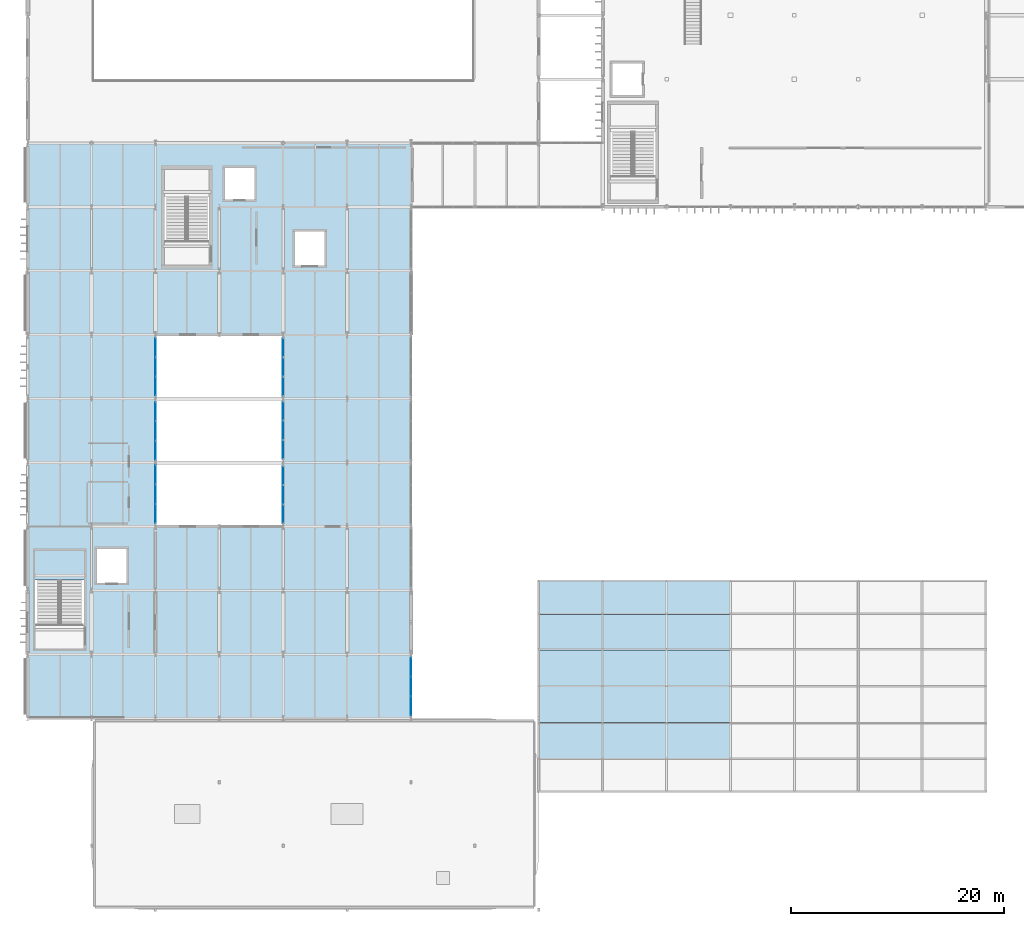
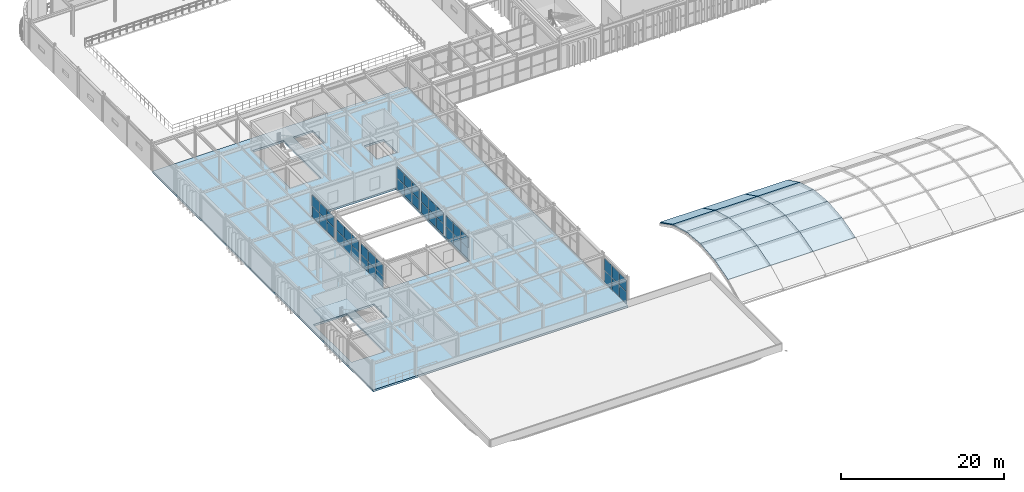
# One storey, part 46 of 84: 42 plates, 17 slabs, 8 elements without a shape of their own.
"""IFC4 building model written with IfcOpenShell, lengths in metres."""

import ifcopenshell
import ifcopenshell.guid

model = None  # the IFC model being written
_history = None  # IfcOwnerHistory: only IFC2X3 demands one
_inside = {}  # id of a spatial element -> (the spatial element, [elements in it])
_under = {}  # id of a project, library or spatial element -> (it, [spatial elements below it])
_declared = {}  # id of a project -> (the project, [libraries it declares])
_typed = {}  # id of a type object -> (the type object, [elements of that type])
_made_of = {}  # id of a material, layer set ... -> (it, [elements and type objects made of it])


def new_model(schema):
    """Start an empty IFC model of exactly this schema.

    Asked for "IFC4X3", IfcOpenShell would pick the latest addendum, in which some entities
    have other attributes; the version numbers below select the first issue.
    IFC2X3 requires an IfcOwnerHistory on every rooted entity: one is made here for all.
    """
    global model, _history
    if schema == "IFC4X3":
        model = ifcopenshell.file(schema_version=(4, 3, 0, 0))
    else:
        model = ifcopenshell.file(schema=schema)
    _inside.clear()
    _under.clear()
    _declared.clear()
    _typed.clear()
    _made_of.clear()
    _history = None
    if model.schema == "IFC2X3":
        org = make("IfcOrganization", Name="unknown")
        user = make(
            "IfcPersonAndOrganization",
            ThePerson=make("IfcPerson", FamilyName="unknown"),
            TheOrganization=org,
        )
        app = make(
            "IfcApplication",
            ApplicationDeveloper=org,
            Version="unknown",
            ApplicationFullName="unknown",
            ApplicationIdentifier="unknown",
        )
        _history = make(
            "IfcOwnerHistory",
            OwningUser=user,
            OwningApplication=app,
            ChangeAction="ADDED",
            CreationDate=0,
        )
    return model


def make(cls, **values):
    """One entity of the class cls with the attributes given. An attribute that is None is left unset."""
    return model.create_entity(
        cls, **{name: value for name, value in values.items() if value is not None}
    )


def rooted(cls, **values):
    """An entity with a GlobalId (a new one), such as an element, a storey or a relation."""
    return make(cls, GlobalId=ifcopenshell.guid.new(), OwnerHistory=_history, **values)


def si_unit(unit_type, name, prefix=None):
    """IfcSIUnit, for example si_unit("LENGTHUNIT", "METRE", prefix="MILLI")."""
    return make("IfcSIUnit", UnitType=unit_type, Prefix=prefix, Name=name)


def assignment(units):
    """IfcUnitAssignment: the units of a project."""
    return None if units is None else make("IfcUnitAssignment", Units=units)


def point(xyz):
    """IfcCartesianPoint."""
    return None if xyz is None else make("IfcCartesianPoint", Coordinates=xyz)


def direction(xyz):
    """IfcDirection."""
    return None if xyz is None else make("IfcDirection", DirectionRatios=xyz)


def frame(location, z_axis=None, x_axis=None):
    """IfcAxis2Placement3D, a coordinate frame: its origin and axes. An axis left out is left unset."""
    return make(
        "IfcAxis2Placement3D",
        Location=point(location),
        Axis=direction(z_axis),
        RefDirection=direction(x_axis),
    )


def frame_2d(location, x_axis=None):
    """IfcAxis2Placement2D, a coordinate frame in the plane: its origin and x axis."""
    return make(
        "IfcAxis2Placement2D", Location=point(location), RefDirection=direction(x_axis)
    )


def origin():
    """The frame at (0, 0, 0) with its axes left unset."""
    return frame((0.0, 0.0, 0.0))


def origin_2d():
    """The frame at (0, 0) in the plane with its x axis left unset."""
    return frame_2d((0.0, 0.0))


def place(relative_to, where):
    """IfcLocalPlacement: puts the frame where relative to a parent placement (None: the world)."""
    return make(
        "IfcLocalPlacement", PlacementRelTo=relative_to, RelativePlacement=where
    )


def context(
    kind, dimensions, precision=None, world=None, true_north=None, identifier=None
):
    """IfcGeometricRepresentationContext, for example the 3D "Model" context."""
    return make(
        "IfcGeometricRepresentationContext",
        ContextIdentifier=identifier,
        ContextType=kind,
        CoordinateSpaceDimension=dimensions,
        Precision=precision,
        WorldCoordinateSystem=world,
        TrueNorth=true_north,
    )


def subcontext(parent, identifier, kind, view, scale=None):
    """IfcGeometricRepresentationSubContext, for example "Body" below "Model"."""
    return make(
        "IfcGeometricRepresentationSubContext",
        ContextIdentifier=identifier,
        ContextType=kind,
        ParentContext=parent,
        TargetScale=scale,
        TargetView=view,
    )


def project(units=None, contexts=None):
    """IfcProject with its units and contexts."""
    return rooted(
        "IfcProject",
        Name="project",
        RepresentationContexts=contexts,
        UnitsInContext=assignment(units),
    )


def spatial(cls, under=None, at=None, **own):
    """A site, building, storey or space (cls), placed at a placement, below another one or the project."""
    s = rooted(cls, ObjectPlacement=at, **own)
    if under is not None:
        _under.setdefault(under.id(), (under, []))[1].append(s)
    return s


def polyline(points):
    """IfcPolyline through the points."""
    return make("IfcPolyline", Points=[point(p) for p in points])


def profile(cls, at=None, kind="AREA", **sizes):
    """A parametric profile (cls). Its sizes go by their IFC names, for example OverallWidth=200.0."""
    return make(cls, ProfileType=kind, Position=at, **sizes)


def rectangle(**sizes):
    """IfcRectangleProfileDef."""
    return profile("IfcRectangleProfileDef", **sizes)


def outline(outer, holes=None, kind="AREA"):
    """IfcArbitraryClosedProfileDef: a profile drawn as a closed curve; with holes, ...WithVoids."""
    if holes is None:
        return make("IfcArbitraryClosedProfileDef", ProfileType=kind, OuterCurve=outer)
    return make(
        "IfcArbitraryProfileDefWithVoids",
        ProfileType=kind,
        OuterCurve=outer,
        InnerCurves=holes,
    )


def extrude(swept, where, along, depth):
    """IfcExtrudedAreaSolid: the profile swept, set in the frame where, extruded along a direction by depth."""
    return make(
        "IfcExtrudedAreaSolid",
        SweptArea=swept,
        Position=where,
        ExtrudedDirection=direction(along),
        Depth=depth,
    )


def shape(context_of_items, identifier, shape_type, items):
    """IfcShapeRepresentation: the items that make up one representation, for example the "Body"."""
    return make(
        "IfcShapeRepresentation",
        ContextOfItems=context_of_items,
        RepresentationIdentifier=identifier,
        RepresentationType=shape_type,
        Items=items,
    )


def material(Name=None, Category=None):
    """IfcMaterial."""
    return make("IfcMaterial", Name=Name, Category=Category)


def layer(
    of_material, thickness, ventilated=None, Name=None, Category=None, Priority=None
):
    """IfcMaterialLayer: one layer of a wall or slab, of a material (None: an air gap)."""
    return make(
        "IfcMaterialLayer",
        Material=of_material,
        LayerThickness=thickness,
        IsVentilated=ventilated,
        Name=Name,
        Category=Category,
        Priority=Priority,
    )


def layer_set(layers, Name=None):
    """IfcMaterialLayerSet."""
    return make("IfcMaterialLayerSet", MaterialLayers=layers, LayerSetName=Name)


def made_of(thing, what):
    """Note that an element or type object is made of a material, layer set ...; save() writes the relation."""
    if what is not None:
        _made_of.setdefault(what.id(), (what, []))[1].append(thing)
    return thing


def type_object(cls, material=None, **own):
    """A type object (cls), such as IfcWallType, which elements share."""
    return made_of(rooted(cls, **own), material)


def element(
    cls,
    number,
    at=None,
    inside=None,
    cuts=None,
    type_object=None,
    material=None,
    context=None,
    identifier="Body",
    shape_type=None,
    held_by="IfcProductDefinitionShape",
    body=None,
    shapes=None,
    **own,
):
    """One element of the class cls, such as IfcWall. Its Tag is "e" and its number.

    at: its placement. inside: the storey or other place that contains it. cuts: it is an
    opening in that element (IfcRelVoidsElement). A single representation is given by context,
    identifier, shape_type and body (its items); several are given by shapes. held_by: the class
    of the entity that holds the representations. save() writes the other relations.
    """
    e = rooted(cls, Tag="e%d" % number, ObjectPlacement=at, **own)
    if body is not None:
        shapes = [shape(context, identifier, shape_type, body)]
    if shapes is not None:
        e.Representation = make(held_by, Representations=shapes)
    if inside is not None:
        _inside.setdefault(inside.id(), (inside, []))[1].append(e)
    if cuts is not None:
        rooted(
            "IfcRelVoidsElement", RelatingBuildingElement=cuts, RelatedOpeningElement=e
        )
    if type_object is not None:
        _typed.setdefault(type_object.id(), (type_object, []))[1].append(e)
    return made_of(e, material)


def aggregate(whole, parts):
    """IfcRelAggregates: a whole, such as a stair, and the parts it consists of."""
    return rooted("IfcRelAggregates", RelatingObject=whole, RelatedObjects=parts)


def save(model, path):
    """Write the relations noted so far, then the file.

    IfcRelAggregates (storeys below a building ...), IfcRelContainedInSpatialStructure (elements
    in a storey), IfcRelDefinesByType, IfcRelAssociatesMaterial and IfcRelDeclares: one each for
    every whole, place, type object, material and project.
    """
    for whole, parts in _under.values():
        aggregate(whole, parts)
    for where, things in _inside.values():
        rooted(
            "IfcRelContainedInSpatialStructure",
            RelatedElements=things,
            RelatingStructure=where,
        )
    for kind, things in _typed.values():
        rooted("IfcRelDefinesByType", RelatedObjects=things, RelatingType=kind)
    for what, things in _made_of.values():
        rooted("IfcRelAssociatesMaterial", RelatedObjects=things, RelatingMaterial=what)
    for by, libraries in _declared.values():
        rooted("IfcRelDeclares", RelatingContext=by, RelatedDefinitions=libraries)
    model.write(path)


model = new_model("IFC4")

# Units and contexts
model_context = context("Model", 3, precision=1e-05, world=origin(), true_north=direction((0.0, 1.0)))
body_context = subcontext(model_context, "Body", "Model", "MODEL_VIEW")
ifc_project = project(units=[si_unit("LENGTHUNIT", "METRE"), si_unit("AREAUNIT", "SQUARE_METRE"), si_unit("VOLUMEUNIT", "CUBIC_METRE"), si_unit("PLANEANGLEUNIT", "RADIAN"), si_unit("MASSUNIT", "GRAM", prefix="KILO")], contexts=[model_context])

# Site, building, storey
site_placement = place(None, origin())
site = spatial("IfcSite", under=ifc_project, at=site_placement, CompositionType="ELEMENT")
building_placement = place(site_placement, origin())
building = spatial("IfcBuilding", under=site, at=building_placement, Name="Varnakota Square Police Headquarters", CompositionType="ELEMENT")
storey_placement = place(building_placement, frame((0.0, 0.0, 13.5)))
storey = spatial("IfcBuildingStorey", under=building, at=storey_placement, Name="L03", CompositionType="ELEMENT", Elevation=13.5)

# Curtain wall, plates
ifc_material_1 = material(Name="Anodised Aluminium Framing", Category="aluminium")
curtain_wall_type_1 = type_object("IfcCurtainWallType", Name="CW-SYS-D", PredefinedType="NOTDEFINED", material=ifc_material_1)
curtain_wall_1_placement = place(storey_placement, origin())
curtain_wall_1 = element("IfcCurtainWall", 1, at=curtain_wall_1_placement, inside=storey, type_object=curtain_wall_type_1, Name="Unitised curtain wall CWG-L03-167", PredefinedType="NOTDEFINED")
ifc_material_2 = material(Name="Solar-Control Laminated Double Glazing", Category="glass")
ifc_layer_1 = layer(ifc_material_2, 0.028076171875, Name="Solar-Control Laminated Double Glazing")
ifc_layer_set_1 = layer_set([ifc_layer_1], Name="Solar-Control Laminated Double Glazing")
plate_type_1 = type_object("IfcPlateType", Name="CWP-GLZ-28", PredefinedType="CURTAIN_PANEL", material=ifc_layer_set_1)
plate_1_placement = place(storey_placement, frame((42.0, 22.14453125, 0.06494140625), z_axis=(0.0, 0.0, 1.0), x_axis=(0.0, 1.0, 0.0)))
plate_1 = element("IfcPlate", 2, at=plate_1_placement, type_object=plate_type_1, Name="CWG-L03-167 panel 1.1", PredefinedType="CURTAIN_PANEL", context=body_context, shape_type="SweptSolid", body=[
    extrude(rectangle(XDim=1.749267578125, YDim=0.028076171875, at=origin_2d()), origin(), (0.0, 0.0, 1.0), 1.7724609375),
])
plate_2_placement = place(storey_placement, frame((42.0, 23.97509765625, 0.06494140625), z_axis=(0.0, 0.0, 1.0), x_axis=(0.0, 1.0, 0.0)))
plate_2 = element("IfcPlate", 3, at=plate_2_placement, type_object=plate_type_1, Name="CWG-L03-167 panel 2.1", PredefinedType="CURTAIN_PANEL", context=body_context, shape_type="SweptSolid", body=[
    extrude(rectangle(XDim=1.78173828125, YDim=0.028076171875, at=origin_2d()), origin(), (0.0, 0.0, 1.0), 1.7724609375),
])
plate_3_placement = place(storey_placement, frame((42.0, 25.805419921875, 0.06494140625), z_axis=(0.0, 0.0, 1.0), x_axis=(0.0, 1.0, 0.0)))
plate_3 = element("IfcPlate", 4, at=plate_3_placement, type_object=plate_type_1, Name="CWG-L03-167 panel 3.1", PredefinedType="CURTAIN_PANEL", context=body_context, shape_type="SweptSolid", body=[
    extrude(rectangle(XDim=1.749267578125, YDim=0.028076171875, at=origin_2d()), origin(), (0.0, 0.0, 1.0), 1.7724609375),
])

curtain_wall_type_2 = type_object("IfcCurtainWallType", Name="CW-SYS-F", PredefinedType="NOTDEFINED", material=ifc_material_1)
curtain_wall_2_placement = place(storey_placement, origin())
curtain_wall_2 = element("IfcCurtainWall", 5, at=curtain_wall_2_placement, inside=storey, type_object=curtain_wall_type_2, Name="Unitised curtain wall CWG-L03-175", PredefinedType="NOTDEFINED")
plate_4_placement = place(storey_placement, frame((30.0, 40.18212890625, 0.06494140625), z_axis=(0.0, 0.0, 1.0), x_axis=(0.0, 1.0, 0.0)))
plate_4 = element("IfcPlate", 6, at=plate_4_placement, type_object=plate_type_1, Name="CWG-L03-175 panel 1.1", PredefinedType="CURTAIN_PANEL", context=body_context, shape_type="SweptSolid", body=[
    extrude(rectangle(XDim=1.72412109375, YDim=0.028076171875, at=origin_2d()), origin(), (0.0, 0.0, 1.0), 1.597412109375),
])
plate_5_placement = place(storey_placement, frame((30.0, 41.987548828125, 0.06494140625), z_axis=(0.0, 0.0, 1.0), x_axis=(0.0, 1.0, 0.0)))
plate_5 = element("IfcPlate", 7, at=plate_5_placement, type_object=plate_type_1, Name="CWG-L03-175 panel 2.1", PredefinedType="CURTAIN_PANEL", context=body_context, shape_type="SweptSolid", body=[
    extrude(rectangle(XDim=1.756591796875, YDim=0.028076171875, at=origin_2d()), origin(), (0.0, 0.0, 1.0), 1.597412109375),
])
plate_6_placement = place(storey_placement, frame((30.0, 43.79296875, 0.06494140625), z_axis=(0.0, 0.0, 1.0), x_axis=(0.0, 1.0, 0.0)))
plate_6 = element("IfcPlate", 8, at=plate_6_placement, type_object=plate_type_1, Name="CWG-L03-175 panel 3.1", PredefinedType="CURTAIN_PANEL", context=body_context, shape_type="SweptSolid", body=[
    extrude(rectangle(XDim=1.72412109375, YDim=0.028076171875, at=origin_2d()), origin(), (0.0, 0.0, 1.0), 1.597412109375),
])

curtain_wall_3_placement = place(storey_placement, origin())
curtain_wall_3 = element("IfcCurtainWall", 9, at=curtain_wall_3_placement, inside=storey, type_object=curtain_wall_type_2, Name="Unitised curtain wall CWG-L03-179", PredefinedType="NOTDEFINED")
plate_7_placement = place(storey_placement, frame((30.0, 52.14453125, 0.06494140625), z_axis=(0.0, 0.0, 1.0), x_axis=(0.0, 1.0, 0.0)))
plate_7 = element("IfcPlate", 10, at=plate_7_placement, type_object=plate_type_1, Name="CWG-L03-179 panel 1.1", PredefinedType="CURTAIN_PANEL", context=body_context, shape_type="SweptSolid", body=[
    extrude(rectangle(XDim=1.749267578125, YDim=0.028076171875, at=origin_2d()), origin(), (0.0, 0.0, 1.0), 1.597412109375),
])
plate_8_placement = place(storey_placement, frame((30.0, 53.97509765625, 0.06494140625), z_axis=(0.0, 0.0, 1.0), x_axis=(0.0, 1.0, 0.0)))
plate_8 = element("IfcPlate", 11, at=plate_8_placement, type_object=plate_type_1, Name="CWG-L03-179 panel 2.1", PredefinedType="CURTAIN_PANEL", context=body_context, shape_type="SweptSolid", body=[
    extrude(rectangle(XDim=1.78173828125, YDim=0.028076171875, at=origin_2d()), origin(), (0.0, 0.0, 1.0), 1.597412109375),
])
plate_9_placement = place(storey_placement, frame((30.0, 55.805419921875, 0.06494140625), z_axis=(0.0, 0.0, 1.0), x_axis=(0.0, 1.0, 0.0)))
plate_9 = element("IfcPlate", 12, at=plate_9_placement, type_object=plate_type_1, Name="CWG-L03-179 panel 3.1", PredefinedType="CURTAIN_PANEL", context=body_context, shape_type="SweptSolid", body=[
    extrude(rectangle(XDim=1.749267578125, YDim=0.028076171875, at=origin_2d()), origin(), (0.0, 0.0, 1.0), 1.597412109375),
])

curtain_wall_4_placement = place(storey_placement, origin())
curtain_wall_4 = element("IfcCurtainWall", 13, at=curtain_wall_4_placement, inside=storey, type_object=curtain_wall_type_2, Name="Unitised curtain wall CWG-L03-176", PredefinedType="NOTDEFINED")
ifc_material_3 = material(Name="Acoustic Laminated Double Glazing", Category="glass")
ifc_layer_2 = layer(ifc_material_3, 0.031982421875, Name="Acoustic Laminated Double Glazing")
ifc_layer_set_2 = layer_set([ifc_layer_2], Name="Acoustic Laminated Double Glazing")
plate_type_2 = type_object("IfcPlateType", Name="CWP-GLZ-32", PredefinedType="CURTAIN_PANEL", material=ifc_layer_set_2)
plate_10_placement = place(storey_placement, frame((18.0, 46.14453125, 0.06494140625), z_axis=(0.0, 0.0, 1.0), x_axis=(0.0, 1.0, 0.0)))
plate_10 = element("IfcPlate", 14, at=plate_10_placement, type_object=plate_type_2, Name="CWG-L03-176 panel 1.1", PredefinedType="CURTAIN_PANEL", context=body_context, shape_type="SweptSolid", body=[
    extrude(rectangle(XDim=1.749267578125, YDim=0.031982421875, at=origin_2d()), origin(), (0.0, 0.0, 1.0), 1.597412109375),
])
plate_11_placement = place(storey_placement, frame((18.0, 47.97509765625, 0.06494140625), z_axis=(0.0, 0.0, 1.0), x_axis=(0.0, 1.0, 0.0)))
plate_11 = element("IfcPlate", 15, at=plate_11_placement, type_object=plate_type_2, Name="CWG-L03-176 panel 2.1", PredefinedType="CURTAIN_PANEL", context=body_context, shape_type="SweptSolid", body=[
    extrude(rectangle(XDim=1.78173828125, YDim=0.031982421875, at=origin_2d()), origin(), (0.0, 0.0, 1.0), 1.597412109375),
])
plate_12_placement = place(storey_placement, frame((18.0, 49.805419921875, 0.06494140625), z_axis=(0.0, 0.0, 1.0), x_axis=(0.0, 1.0, 0.0)))
plate_12 = element("IfcPlate", 16, at=plate_12_placement, type_object=plate_type_2, Name="CWG-L03-176 panel 3.1", PredefinedType="CURTAIN_PANEL", context=body_context, shape_type="SweptSolid", body=[
    extrude(rectangle(XDim=1.749267578125, YDim=0.031982421875, at=origin_2d()), origin(), (0.0, 0.0, 1.0), 1.597412109375),
])

curtain_wall_5_placement = place(storey_placement, origin())
curtain_wall_5 = element("IfcCurtainWall", 17, at=curtain_wall_5_placement, inside=storey, type_object=curtain_wall_type_2, Name="Unitised curtain wall CWG-L03-177", PredefinedType="NOTDEFINED")
ifc_material_4 = material(Name="Blast-Resistant Laminated Glazing", Category="glass")
ifc_layer_3 = layer(ifc_material_4, 0.035888671875, Name="Blast-Resistant Laminated Glazing")
ifc_layer_set_3 = layer_set([ifc_layer_3], Name="Blast-Resistant Laminated Glazing")
plate_type_3 = type_object("IfcPlateType", Name="CWP-GLZ-36", PredefinedType="CURTAIN_PANEL", material=ifc_layer_set_3)
plate_13_placement = place(storey_placement, frame((30.0, 46.21533203125, 0.06494140625), z_axis=(0.0, 0.0, 1.0), x_axis=(0.0, 1.0, 0.0)))
plate_13 = element("IfcPlate", 18, at=plate_13_placement, type_object=plate_type_3, Name="CWG-L03-177 panel 1.1", PredefinedType="CURTAIN_PANEL", context=body_context, shape_type="SweptSolid", body=[
    extrude(rectangle(XDim=1.74072265625, YDim=0.035888671875, at=origin_2d()), origin(), (0.0, 0.0, 1.0), 1.597412109375),
])
plate_14_placement = place(storey_placement, frame((30.0, 48.03759765625, 0.06494140625), z_axis=(0.0, 0.0, 1.0), x_axis=(0.0, 1.0, 0.0)))
plate_14 = element("IfcPlate", 19, at=plate_14_placement, type_object=plate_type_3, Name="CWG-L03-177 panel 2.1", PredefinedType="CURTAIN_PANEL", context=body_context, shape_type="SweptSolid", body=[
    extrude(rectangle(XDim=1.7734375, YDim=0.035888671875, at=origin_2d()), origin(), (0.0, 0.0, 1.0), 1.597412109375),
])
plate_15_placement = place(storey_placement, frame((30.0, 49.859619140625, 0.06494140625), z_axis=(0.0, 0.0, 1.0), x_axis=(0.0, 1.0, 0.0)))
plate_15 = element("IfcPlate", 20, at=plate_15_placement, type_object=plate_type_3, Name="CWG-L03-177 panel 3.1", PredefinedType="CURTAIN_PANEL", context=body_context, shape_type="SweptSolid", body=[
    extrude(rectangle(XDim=1.74072265625, YDim=0.035888671875, at=origin_2d()), origin(), (0.0, 0.0, 1.0), 1.597412109375),
])

curtain_wall_6_placement = place(storey_placement, origin())
curtain_wall_6 = element("IfcCurtainWall", 21, at=curtain_wall_6_placement, inside=storey, type_object=curtain_wall_type_2, Name="Unitised curtain wall CWG-L03-174", PredefinedType="NOTDEFINED")
ifc_material_5 = material(Name="Triple-Glazed Clean-Lab Vision Unit", Category="aluminium")
ifc_layer_4 = layer(ifc_material_5, 0.0419921875, Name="Triple-Glazed Clean-Lab Vision Unit")
ifc_layer_set_4 = layer_set([ifc_layer_4], Name="Triple-Glazed Clean-Lab Vision Unit")
plate_type_4 = type_object("IfcPlateType", Name="CWP-GLZ-42", PredefinedType="CURTAIN_PANEL", material=ifc_layer_set_4)
plate_16_placement = place(storey_placement, frame((18.0, 40.21533203125, 0.06494140625), z_axis=(0.0, 0.0, 1.0), x_axis=(0.0, 1.0, 0.0)))
plate_16 = element("IfcPlate", 22, at=plate_16_placement, type_object=plate_type_4, Name="CWG-L03-174 panel 1.1", PredefinedType="CURTAIN_PANEL", context=body_context, shape_type="SweptSolid", body=[
    extrude(rectangle(XDim=1.74072265625, YDim=0.0419921875, at=origin_2d()), origin(), (0.0, 0.0, 1.0), 1.597412109375),
])
plate_17_placement = place(storey_placement, frame((18.0, 42.03759765625, 0.06494140625), z_axis=(0.0, 0.0, 1.0), x_axis=(0.0, 1.0, 0.0)))
plate_17 = element("IfcPlate", 23, at=plate_17_placement, type_object=plate_type_4, Name="CWG-L03-174 panel 2.1", PredefinedType="CURTAIN_PANEL", context=body_context, shape_type="SweptSolid", body=[
    extrude(rectangle(XDim=1.7734375, YDim=0.0419921875, at=origin_2d()), origin(), (0.0, 0.0, 1.0), 1.597412109375),
])
plate_18_placement = place(storey_placement, frame((18.0, 43.859619140625, 0.06494140625), z_axis=(0.0, 0.0, 1.0), x_axis=(0.0, 1.0, 0.0)))
plate_18 = element("IfcPlate", 24, at=plate_18_placement, type_object=plate_type_4, Name="CWG-L03-174 panel 3.1", PredefinedType="CURTAIN_PANEL", context=body_context, shape_type="SweptSolid", body=[
    extrude(rectangle(XDim=1.74072265625, YDim=0.0419921875, at=origin_2d()), origin(), (0.0, 0.0, 1.0), 1.597412109375),
])

curtain_wall_7_placement = place(storey_placement, origin())
curtain_wall_7 = element("IfcCurtainWall", 25, at=curtain_wall_7_placement, inside=storey, type_object=curtain_wall_type_2, Name="Unitised curtain wall CWG-L03-178", PredefinedType="NOTDEFINED")
plate_19_placement = place(storey_placement, frame((18.0, 52.18212890625, 0.06494140625), z_axis=(0.0, 0.0, 1.0), x_axis=(0.0, 1.0, 0.0)))
plate_19 = element("IfcPlate", 26, at=plate_19_placement, type_object=plate_type_4, Name="CWG-L03-178 panel 1.1", PredefinedType="CURTAIN_PANEL", context=body_context, shape_type="SweptSolid", body=[
    extrude(rectangle(XDim=1.72412109375, YDim=0.0419921875, at=origin_2d()), origin(), (0.0, 0.0, 1.0), 1.597412109375),
])
plate_20_placement = place(storey_placement, frame((18.0, 53.987548828125, 0.06494140625), z_axis=(0.0, 0.0, 1.0), x_axis=(0.0, 1.0, 0.0)))
plate_20 = element("IfcPlate", 27, at=plate_20_placement, type_object=plate_type_4, Name="CWG-L03-178 panel 2.1", PredefinedType="CURTAIN_PANEL", context=body_context, shape_type="SweptSolid", body=[
    extrude(rectangle(XDim=1.756591796875, YDim=0.0419921875, at=origin_2d()), origin(), (0.0, 0.0, 1.0), 1.597412109375),
])
plate_21_placement = place(storey_placement, frame((18.0, 55.79296875, 0.06494140625), z_axis=(0.0, 0.0, 1.0), x_axis=(0.0, 1.0, 0.0)))
plate_21 = element("IfcPlate", 28, at=plate_21_placement, type_object=plate_type_4, Name="CWG-L03-178 panel 3.1", PredefinedType="CURTAIN_PANEL", context=body_context, shape_type="SweptSolid", body=[
    extrude(rectangle(XDim=1.72412109375, YDim=0.0419921875, at=origin_2d()), origin(), (0.0, 0.0, 1.0), 1.597412109375),
])

# Plate
ifc_material_6 = material(Name="Insulated Anodised Aluminium Spandrel Panel", Category="aluminium")
ifc_layer_5 = layer(ifc_material_6, 0.050048828125, Name="Insulated Anodised Aluminium Spandrel Panel")
ifc_layer_set_5 = layer_set([ifc_layer_5], Name="Insulated Anodised Aluminium Spandrel Panel")
plate_type_5 = type_object("IfcPlateType", Name="CWP-SPN-50", PredefinedType="CURTAIN_PANEL", material=ifc_layer_set_5)
plate_22_placement = place(storey_placement, frame((42.0, 22.14453125, 1.902587890625), z_axis=(0.0, 0.0, 1.0), x_axis=(0.0, 1.0, 0.0)))
plate_22 = element("IfcPlate", 29, at=plate_22_placement, type_object=plate_type_5, Name="CWG-L03-167 panel 1.2", PredefinedType="CURTAIN_PANEL", context=body_context, shape_type="SweptSolid", body=[
    extrude(rectangle(XDim=1.749267578125, YDim=0.050048828125, at=origin_2d()), origin(), (0.0, 0.0, 1.0), 1.7724609375),
])

plate_23_placement = place(storey_placement, frame((42.0, 23.97509765625, 1.902587890625), z_axis=(0.0, 0.0, 1.0), x_axis=(0.0, 1.0, 0.0)))
plate_23 = element("IfcPlate", 30, at=plate_23_placement, type_object=plate_type_5, Name="CWG-L03-167 panel 2.2", PredefinedType="CURTAIN_PANEL", context=body_context, shape_type="SweptSolid", body=[
    extrude(rectangle(XDim=1.78173828125, YDim=0.050048828125, at=origin_2d()), origin(), (0.0, 0.0, 1.0), 1.7724609375),
])

plate_24_placement = place(storey_placement, frame((42.0, 25.805419921875, 1.902587890625), z_axis=(0.0, 0.0, 1.0), x_axis=(0.0, 1.0, 0.0)))
plate_24 = element("IfcPlate", 31, at=plate_24_placement, type_object=plate_type_5, Name="CWG-L03-167 panel 3.2", PredefinedType="CURTAIN_PANEL", context=body_context, shape_type="SweptSolid", body=[
    extrude(rectangle(XDim=1.749267578125, YDim=0.050048828125, at=origin_2d()), origin(), (0.0, 0.0, 1.0), 1.7724609375),
])

aggregate(curtain_wall_1, [plate_1, plate_22, plate_2, plate_23, plate_3, plate_24])

plate_25_placement = place(storey_placement, frame((30.0, 40.18212890625, 1.7275390625), z_axis=(0.0, 0.0, 1.0), x_axis=(0.0, 1.0, 0.0)))
plate_25 = element("IfcPlate", 32, at=plate_25_placement, type_object=plate_type_5, Name="CWG-L03-175 panel 1.2", PredefinedType="CURTAIN_PANEL", context=body_context, shape_type="SweptSolid", body=[
    extrude(rectangle(XDim=1.72412109375, YDim=0.050048828125, at=origin_2d()), origin(), (0.0, 0.0, 1.0), 1.597412109375),
])

plate_26_placement = place(storey_placement, frame((30.0, 41.987548828125, 1.7275390625), z_axis=(0.0, 0.0, 1.0), x_axis=(0.0, 1.0, 0.0)))
plate_26 = element("IfcPlate", 33, at=plate_26_placement, type_object=plate_type_5, Name="CWG-L03-175 panel 2.2", PredefinedType="CURTAIN_PANEL", context=body_context, shape_type="SweptSolid", body=[
    extrude(rectangle(XDim=1.756591796875, YDim=0.050048828125, at=origin_2d()), origin(), (0.0, 0.0, 1.0), 1.597412109375),
])

plate_27_placement = place(storey_placement, frame((30.0, 43.79296875, 1.7275390625), z_axis=(0.0, 0.0, 1.0), x_axis=(0.0, 1.0, 0.0)))
plate_27 = element("IfcPlate", 34, at=plate_27_placement, type_object=plate_type_5, Name="CWG-L03-175 panel 3.2", PredefinedType="CURTAIN_PANEL", context=body_context, shape_type="SweptSolid", body=[
    extrude(rectangle(XDim=1.72412109375, YDim=0.050048828125, at=origin_2d()), origin(), (0.0, 0.0, 1.0), 1.597412109375),
])

aggregate(curtain_wall_2, [plate_4, plate_25, plate_5, plate_26, plate_6, plate_27])

plate_28_placement = place(storey_placement, frame((30.0, 46.21533203125, 1.7275390625), z_axis=(0.0, 0.0, 1.0), x_axis=(0.0, 1.0, 0.0)))
plate_28 = element("IfcPlate", 35, at=plate_28_placement, type_object=plate_type_5, Name="CWG-L03-177 panel 1.2", PredefinedType="CURTAIN_PANEL", context=body_context, shape_type="SweptSolid", body=[
    extrude(rectangle(XDim=1.74072265625, YDim=0.050048828125, at=origin_2d()), origin(), (0.0, 0.0, 1.0), 1.597412109375),
])

plate_29_placement = place(storey_placement, frame((30.0, 48.03759765625, 1.7275390625), z_axis=(0.0, 0.0, 1.0), x_axis=(0.0, 1.0, 0.0)))
plate_29 = element("IfcPlate", 36, at=plate_29_placement, type_object=plate_type_5, Name="CWG-L03-177 panel 2.2", PredefinedType="CURTAIN_PANEL", context=body_context, shape_type="SweptSolid", body=[
    extrude(rectangle(XDim=1.7734375, YDim=0.050048828125, at=origin_2d()), origin(), (0.0, 0.0, 1.0), 1.597412109375),
])

plate_30_placement = place(storey_placement, frame((30.0, 49.859619140625, 1.7275390625), z_axis=(0.0, 0.0, 1.0), x_axis=(0.0, 1.0, 0.0)))
plate_30 = element("IfcPlate", 37, at=plate_30_placement, type_object=plate_type_5, Name="CWG-L03-177 panel 3.2", PredefinedType="CURTAIN_PANEL", context=body_context, shape_type="SweptSolid", body=[
    extrude(rectangle(XDim=1.74072265625, YDim=0.050048828125, at=origin_2d()), origin(), (0.0, 0.0, 1.0), 1.597412109375),
])

aggregate(curtain_wall_5, [plate_13, plate_28, plate_14, plate_29, plate_15, plate_30])

plate_31_placement = place(storey_placement, frame((30.0, 52.14453125, 1.7275390625), z_axis=(0.0, 0.0, 1.0), x_axis=(0.0, 1.0, 0.0)))
plate_31 = element("IfcPlate", 38, at=plate_31_placement, type_object=plate_type_5, Name="CWG-L03-179 panel 1.2", PredefinedType="CURTAIN_PANEL", context=body_context, shape_type="SweptSolid", body=[
    extrude(rectangle(XDim=1.749267578125, YDim=0.050048828125, at=origin_2d()), origin(), (0.0, 0.0, 1.0), 1.597412109375),
])

plate_32_placement = place(storey_placement, frame((30.0, 53.97509765625, 1.7275390625), z_axis=(0.0, 0.0, 1.0), x_axis=(0.0, 1.0, 0.0)))
plate_32 = element("IfcPlate", 39, at=plate_32_placement, type_object=plate_type_5, Name="CWG-L03-179 panel 2.2", PredefinedType="CURTAIN_PANEL", context=body_context, shape_type="SweptSolid", body=[
    extrude(rectangle(XDim=1.78173828125, YDim=0.050048828125, at=origin_2d()), origin(), (0.0, 0.0, 1.0), 1.597412109375),
])

plate_33_placement = place(storey_placement, frame((30.0, 55.805419921875, 1.7275390625), z_axis=(0.0, 0.0, 1.0), x_axis=(0.0, 1.0, 0.0)))
plate_33 = element("IfcPlate", 40, at=plate_33_placement, type_object=plate_type_5, Name="CWG-L03-179 panel 3.2", PredefinedType="CURTAIN_PANEL", context=body_context, shape_type="SweptSolid", body=[
    extrude(rectangle(XDim=1.749267578125, YDim=0.050048828125, at=origin_2d()), origin(), (0.0, 0.0, 1.0), 1.597412109375),
])

aggregate(curtain_wall_3, [plate_7, plate_31, plate_8, plate_32, plate_9, plate_33])

ifc_material_7 = material(Name="Fire-Stopped Mineral-Wool Spandrel Panel", Category="aluminium")
ifc_layer_6 = layer(ifc_material_7, 0.06005859375, Name="Fire-Stopped Mineral-Wool Spandrel Panel")
ifc_layer_set_6 = layer_set([ifc_layer_6], Name="Fire-Stopped Mineral-Wool Spandrel Panel")
plate_type_6 = type_object("IfcPlateType", Name="CWP-SPN-60", PredefinedType="CURTAIN_PANEL", material=ifc_layer_set_6)
plate_34_placement = place(storey_placement, frame((18.0, 40.21533203125, 1.7275390625), z_axis=(0.0, 0.0, 1.0), x_axis=(0.0, 1.0, 0.0)))
plate_34 = element("IfcPlate", 41, at=plate_34_placement, type_object=plate_type_6, Name="CWG-L03-174 panel 1.2", PredefinedType="CURTAIN_PANEL", context=body_context, shape_type="SweptSolid", body=[
    extrude(rectangle(XDim=1.74072265625, YDim=0.06005859375, at=origin_2d()), origin(), (0.0, 0.0, 1.0), 1.597412109375),
])

plate_35_placement = place(storey_placement, frame((18.0, 42.03759765625, 1.7275390625), z_axis=(0.0, 0.0, 1.0), x_axis=(0.0, 1.0, 0.0)))
plate_35 = element("IfcPlate", 42, at=plate_35_placement, type_object=plate_type_6, Name="CWG-L03-174 panel 2.2", PredefinedType="CURTAIN_PANEL", context=body_context, shape_type="SweptSolid", body=[
    extrude(rectangle(XDim=1.7734375, YDim=0.06005859375, at=origin_2d()), origin(), (0.0, 0.0, 1.0), 1.597412109375),
])

plate_36_placement = place(storey_placement, frame((18.0, 43.859619140625, 1.7275390625), z_axis=(0.0, 0.0, 1.0), x_axis=(0.0, 1.0, 0.0)))
plate_36 = element("IfcPlate", 43, at=plate_36_placement, type_object=plate_type_6, Name="CWG-L03-174 panel 3.2", PredefinedType="CURTAIN_PANEL", context=body_context, shape_type="SweptSolid", body=[
    extrude(rectangle(XDim=1.74072265625, YDim=0.06005859375, at=origin_2d()), origin(), (0.0, 0.0, 1.0), 1.597412109375),
])

aggregate(curtain_wall_6, [plate_16, plate_34, plate_17, plate_35, plate_18, plate_36])

plate_37_placement = place(storey_placement, frame((18.0, 46.14453125, 1.7275390625), z_axis=(0.0, 0.0, 1.0), x_axis=(0.0, 1.0, 0.0)))
plate_37 = element("IfcPlate", 44, at=plate_37_placement, type_object=plate_type_6, Name="CWG-L03-176 panel 1.2", PredefinedType="CURTAIN_PANEL", context=body_context, shape_type="SweptSolid", body=[
    extrude(rectangle(XDim=1.749267578125, YDim=0.06005859375, at=origin_2d()), origin(), (0.0, 0.0, 1.0), 1.597412109375),
])

plate_38_placement = place(storey_placement, frame((18.0, 47.97509765625, 1.7275390625), z_axis=(0.0, 0.0, 1.0), x_axis=(0.0, 1.0, 0.0)))
plate_38 = element("IfcPlate", 45, at=plate_38_placement, type_object=plate_type_6, Name="CWG-L03-176 panel 2.2", PredefinedType="CURTAIN_PANEL", context=body_context, shape_type="SweptSolid", body=[
    extrude(rectangle(XDim=1.78173828125, YDim=0.06005859375, at=origin_2d()), origin(), (0.0, 0.0, 1.0), 1.597412109375),
])

plate_39_placement = place(storey_placement, frame((18.0, 49.805419921875, 1.7275390625), z_axis=(0.0, 0.0, 1.0), x_axis=(0.0, 1.0, 0.0)))
plate_39 = element("IfcPlate", 46, at=plate_39_placement, type_object=plate_type_6, Name="CWG-L03-176 panel 3.2", PredefinedType="CURTAIN_PANEL", context=body_context, shape_type="SweptSolid", body=[
    extrude(rectangle(XDim=1.749267578125, YDim=0.06005859375, at=origin_2d()), origin(), (0.0, 0.0, 1.0), 1.597412109375),
])

aggregate(curtain_wall_4, [plate_10, plate_37, plate_11, plate_38, plate_12, plate_39])

plate_40_placement = place(storey_placement, frame((18.0, 52.18212890625, 1.7275390625), z_axis=(0.0, 0.0, 1.0), x_axis=(0.0, 1.0, 0.0)))
plate_40 = element("IfcPlate", 47, at=plate_40_placement, type_object=plate_type_6, Name="CWG-L03-178 panel 1.2", PredefinedType="CURTAIN_PANEL", context=body_context, shape_type="SweptSolid", body=[
    extrude(rectangle(XDim=1.72412109375, YDim=0.06005859375, at=origin_2d()), origin(), (0.0, 0.0, 1.0), 1.597412109375),
])

plate_41_placement = place(storey_placement, frame((18.0, 53.987548828125, 1.7275390625), z_axis=(0.0, 0.0, 1.0), x_axis=(0.0, 1.0, 0.0)))
plate_41 = element("IfcPlate", 48, at=plate_41_placement, type_object=plate_type_6, Name="CWG-L03-178 panel 2.2", PredefinedType="CURTAIN_PANEL", context=body_context, shape_type="SweptSolid", body=[
    extrude(rectangle(XDim=1.756591796875, YDim=0.06005859375, at=origin_2d()), origin(), (0.0, 0.0, 1.0), 1.597412109375),
])

plate_42_placement = place(storey_placement, frame((18.0, 55.79296875, 1.7275390625), z_axis=(0.0, 0.0, 1.0), x_axis=(0.0, 1.0, 0.0)))
plate_42 = element("IfcPlate", 49, at=plate_42_placement, type_object=plate_type_6, Name="CWG-L03-178 panel 3.2", PredefinedType="CURTAIN_PANEL", context=body_context, shape_type="SweptSolid", body=[
    extrude(rectangle(XDim=1.72412109375, YDim=0.06005859375, at=origin_2d()), origin(), (0.0, 0.0, 1.0), 1.597412109375),
])

aggregate(curtain_wall_7, [plate_19, plate_40, plate_20, plate_41, plate_21, plate_42])

# Slabs
ifc_material_8 = material(Name="Concrete M40", Category="concrete")
ifc_layer_7 = layer(ifc_material_8, 0.300048828125, Name="Concrete M40")
ifc_layer_set_7 = layer_set([ifc_layer_7], Name="Concrete M40")
slab_type_1 = type_object("IfcSlabType", Name="SL-LAB-300", PredefinedType="FLOOR", material=ifc_layer_set_7)
slab_1_placement = place(storey_placement, frame((0.0, 0.0, -0.300048828125)))
element("IfcSlab", 50, at=slab_1_placement, inside=storey, type_object=slab_type_1, Name="L03 Digital and Ballistics Forensic Slab", PredefinedType="FLOOR", context=body_context, shape_type="SweptSolid", body=[
    extrude(outline(polyline([(6.0, 21.0), (42.0, 21.0), (42.0, 75.0), (6.0, 75.0), (6.0, 21.0)]), holes=[polyline([(18.0, 39.0), (30.0, 39.0), (30.0, 57.0), (18.0, 57.0), (18.0, 39.0)]), polyline([(6.655029296875, 27.455078125), (11.344970703125, 27.455078125), (11.344970703125, 36.7451171875), (6.655029296875, 36.7451171875), (6.655029296875, 27.455078125)]), polyline([(12.514892578125, 33.715087890625), (15.284912109375, 33.715087890625), (15.284912109375, 36.885009765625), (12.514892578125, 36.885009765625), (12.514892578125, 33.715087890625)]), polyline([(18.7548828125, 63.455078125), (23.14501953125, 63.455078125), (23.14501953125, 72.64501953125), (18.7548828125, 72.64501953125), (18.7548828125, 63.455078125)]), polyline([(24.514892578125, 69.715087890625), (27.284912109375, 69.715087890625), (27.284912109375, 72.68505859375), (24.514892578125, 72.68505859375), (24.514892578125, 69.715087890625)]), polyline([(31.114990234375, 63.514892578125), (33.885009765625, 63.514892578125), (33.885009765625, 66.68505859375), (31.114990234375, 66.68505859375), (31.114990234375, 63.514892578125)])]), origin(), (0.0, 0.0, 1.0), 0.300048828125),
])
ifc_layer_8 = layer(ifc_material_8, 0.139892578125, Name="Concrete M40")
ifc_layer_set_8 = layer_set([ifc_layer_8], Name="Concrete M40")
slab_type_2 = type_object("IfcSlabType", Name="SL-VLT-140", PredefinedType="ROOF", material=ifc_layer_set_8)
slab_2_placement = place(storey_placement, frame((54.0, 17.20361328125, 2.02490234375), z_axis=(0.0, -0.274628265229, 0.961550474981), x_axis=(1.0, 0.0, 0.0)))
element("IfcSlab", 51, at=slab_2_placement, inside=storey, type_object=slab_type_2, Name="Barrel vault roof deck strip V1-B01-S04", PredefinedType="ROOF", context=body_context, shape_type="SweptSolid", body=[
    extrude(outline(polyline([(0.0, 0.0), (6.0, 0.0), (6.0, 3.4723784911700735), (0.0, 3.4723784911700735), (0.0, 0.0)])), origin(), (0.0, 0.0, -1.0), 0.139892578125),
])
for number, where, z_axis, x_axis, name in (
    (52, (54.0, 20.54248046875, 2.978515625), (0.0, -0.092595811122, 0.995703779124), (1.0, 0.0, 0.0), "Barrel vault roof deck strip V1-B01-S05"),
    (53, (54.0, 24.0, 3.300048828125), (0.0, 0.092595811122, 0.995703779124), (1.0, 0.0, 0.0), "Barrel vault roof deck strip V1-B01-S06"),
):
    element("IfcSlab", number, at=place(storey_placement, frame(where, z_axis=z_axis, x_axis=x_axis)), inside=storey, type_object=slab_type_2, Name=name, PredefinedType="ROOF", context=body_context, shape_type="SweptSolid", body=[
        extrude(outline(polyline([(0.0, 0.0), (6.0, 0.0), (6.0, 3.4724378914081444), (0.0, 3.4724378914081444), (0.0, 0.0)])), origin(), (0.0, 0.0, -1.0), 0.139892578125),
    ])
slab_3_placement = place(storey_placement, frame((54.0, 27.45751953125, 2.978515625), z_axis=(0.0, 0.274628265229, 0.961550474981), x_axis=(1.0, 0.0, 0.0)))
element("IfcSlab", 54, at=slab_3_placement, inside=storey, type_object=slab_type_2, Name="Barrel vault roof deck strip V1-B01-S07", PredefinedType="ROOF", context=body_context, shape_type="SweptSolid", body=[
    extrude(outline(polyline([(0.0, 0.0), (6.0, 0.0), (6.0, 3.4723784911700735), (0.0, 3.4723784911700735), (0.0, 0.0)])), origin(), (0.0, 0.0, -1.0), 0.139892578125),
])
slab_4_placement = place(storey_placement, frame((54.0, 30.79638671875, 2.02490234375), z_axis=(0.0, 0.447241719267, 0.894413128564), x_axis=(1.0, 0.0, 0.0)))
element("IfcSlab", 55, at=slab_4_placement, inside=storey, type_object=slab_type_2, Name="Barrel vault roof deck strip V1-B01-S08", PredefinedType="ROOF", context=body_context, shape_type="SweptSolid", body=[
    extrude(outline(polyline([(0.0, 0.0), (6.0, 0.0), (6.0, 3.472347164237344), (0.0, 3.472347164237344), (0.0, 0.0)])), origin(), (0.0, 0.0, -1.0), 0.139892578125),
])
slab_5_placement = place(storey_placement, frame((60.0, 17.20361328125, 2.02490234375), z_axis=(0.0, -0.274628265229, 0.961550474981), x_axis=(1.0, 0.0, 0.0)))
element("IfcSlab", 56, at=slab_5_placement, inside=storey, type_object=slab_type_2, Name="Barrel vault roof deck strip V1-B02-S04", PredefinedType="ROOF", context=body_context, shape_type="SweptSolid", body=[
    extrude(outline(polyline([(0.0, 0.0), (6.0, 0.0), (6.0, 3.4723784911700735), (0.0, 3.4723784911700735), (0.0, 0.0)])), origin(), (0.0, 0.0, -1.0), 0.139892578125),
])
for number, where, z_axis, x_axis, name in (
    (57, (60.0, 20.54248046875, 2.978515625), (0.0, -0.092595811122, 0.995703779124), (1.0, 0.0, 0.0), "Barrel vault roof deck strip V1-B02-S05"),
    (58, (60.0, 24.0, 3.300048828125), (0.0, 0.092595811122, 0.995703779124), (1.0, 0.0, 0.0), "Barrel vault roof deck strip V1-B02-S06"),
):
    element("IfcSlab", number, at=place(storey_placement, frame(where, z_axis=z_axis, x_axis=x_axis)), inside=storey, type_object=slab_type_2, Name=name, PredefinedType="ROOF", context=body_context, shape_type="SweptSolid", body=[
        extrude(outline(polyline([(0.0, 0.0), (6.0, 0.0), (6.0, 3.4724378914081444), (0.0, 3.4724378914081444), (0.0, 0.0)])), origin(), (0.0, 0.0, -1.0), 0.139892578125),
    ])
slab_6_placement = place(storey_placement, frame((60.0, 27.45751953125, 2.978515625), z_axis=(0.0, 0.274628265229, 0.961550474981), x_axis=(1.0, 0.0, 0.0)))
element("IfcSlab", 59, at=slab_6_placement, inside=storey, type_object=slab_type_2, Name="Barrel vault roof deck strip V1-B02-S07", PredefinedType="ROOF", context=body_context, shape_type="SweptSolid", body=[
    extrude(outline(polyline([(0.0, 0.0), (6.0, 0.0), (6.0, 3.4723784911700735), (0.0, 3.4723784911700735), (0.0, 0.0)])), origin(), (0.0, 0.0, -1.0), 0.139892578125),
])
slab_7_placement = place(storey_placement, frame((60.0, 30.79638671875, 2.02490234375), z_axis=(0.0, 0.447241719267, 0.894413128564), x_axis=(1.0, 0.0, 0.0)))
element("IfcSlab", 60, at=slab_7_placement, inside=storey, type_object=slab_type_2, Name="Barrel vault roof deck strip V1-B02-S08", PredefinedType="ROOF", context=body_context, shape_type="SweptSolid", body=[
    extrude(outline(polyline([(0.0, 0.0), (6.0, 0.0), (6.0, 3.472347164237344), (0.0, 3.472347164237344), (0.0, 0.0)])), origin(), (0.0, 0.0, -1.0), 0.139892578125),
])
slab_8_placement = place(storey_placement, frame((66.0, 17.20361328125, 2.02490234375), z_axis=(0.0, -0.274628265229, 0.961550474981), x_axis=(1.0, 0.0, 0.0)))
element("IfcSlab", 61, at=slab_8_placement, inside=storey, type_object=slab_type_2, Name="Barrel vault roof deck strip V1-B03-S04", PredefinedType="ROOF", context=body_context, shape_type="SweptSolid", body=[
    extrude(outline(polyline([(0.0, 0.0), (6.0, 0.0), (6.0, 3.4723784911700735), (0.0, 3.4723784911700735), (0.0, 0.0)])), origin(), (0.0, 0.0, -1.0), 0.139892578125),
])
for number, where, z_axis, x_axis, name in (
    (62, (66.0, 20.54248046875, 2.978515625), (0.0, -0.092595811122, 0.995703779124), (1.0, 0.0, 0.0), "Barrel vault roof deck strip V1-B03-S05"),
    (63, (66.0, 24.0, 3.300048828125), (0.0, 0.092595811122, 0.995703779124), (1.0, 0.0, 0.0), "Barrel vault roof deck strip V1-B03-S06"),
):
    element("IfcSlab", number, at=place(storey_placement, frame(where, z_axis=z_axis, x_axis=x_axis)), inside=storey, type_object=slab_type_2, Name=name, PredefinedType="ROOF", context=body_context, shape_type="SweptSolid", body=[
        extrude(outline(polyline([(0.0, 0.0), (6.0, 0.0), (6.0, 3.4724378914081444), (0.0, 3.4724378914081444), (0.0, 0.0)])), origin(), (0.0, 0.0, -1.0), 0.139892578125),
    ])
slab_9_placement = place(storey_placement, frame((66.0, 27.45751953125, 2.978515625), z_axis=(0.0, 0.274628265229, 0.961550474981), x_axis=(1.0, 0.0, 0.0)))
element("IfcSlab", 64, at=slab_9_placement, inside=storey, type_object=slab_type_2, Name="Barrel vault roof deck strip V1-B03-S07", PredefinedType="ROOF", context=body_context, shape_type="SweptSolid", body=[
    extrude(outline(polyline([(0.0, 0.0), (6.0, 0.0), (6.0, 3.4723784911700735), (0.0, 3.4723784911700735), (0.0, 0.0)])), origin(), (0.0, 0.0, -1.0), 0.139892578125),
])
slab_10_placement = place(storey_placement, frame((66.0, 30.79638671875, 2.02490234375), z_axis=(0.0, 0.447241719267, 0.894413128564), x_axis=(1.0, 0.0, 0.0)))
element("IfcSlab", 65, at=slab_10_placement, inside=storey, type_object=slab_type_2, Name="Barrel vault roof deck strip V1-B03-S08", PredefinedType="ROOF", context=body_context, shape_type="SweptSolid", body=[
    extrude(outline(polyline([(0.0, 0.0), (6.0, 0.0), (6.0, 3.472347164237344), (0.0, 3.472347164237344), (0.0, 0.0)])), origin(), (0.0, 0.0, -1.0), 0.139892578125),
])

# Stair, slab
stair_type = type_object("IfcStairType", Name="STR-DOG-2000", PredefinedType="USERDEFINED", material=ifc_material_8)
stair_placement = place(storey_placement, origin())
stair = element("IfcStair", 66, at=stair_placement, inside=storey, type_object=stair_type, Name="Protected exit stair ST4 (L03)", ObjectType="TWO_RETURN_STAIR", PredefinedType="USERDEFINED")
ifc_layer_9 = layer(ifc_material_8, 0.166015625, Name="Concrete M40")
ifc_layer_set_9 = layer_set([ifc_layer_9], Name="Concrete M40")
slab_type_3 = type_object("IfcSlabType", Name="SLB-LND-2000", PredefinedType="LANDING", material=ifc_layer_set_9)
slab_11_placement = place(storey_placement, frame((0.0, 0.0, 2.083984375)))
slab_11 = element("IfcSlab", 67, at=slab_11_placement, type_object=slab_type_3, Name="ST4-L03 landing 1", PredefinedType="LANDING", context=body_context, shape_type="SweptSolid", body=[
    extrude(outline(polyline([(6.659912109375, 33.95068359375), (11.340087890625, 33.95068359375), (11.340087890625, 36.739990234375), (6.659912109375, 36.739990234375), (6.659912109375, 33.95068359375)])), origin(), (0.0, 0.0, 1.0), 0.166015625),
])
aggregate(stair, [slab_11])

save(model, "model.ifc")
